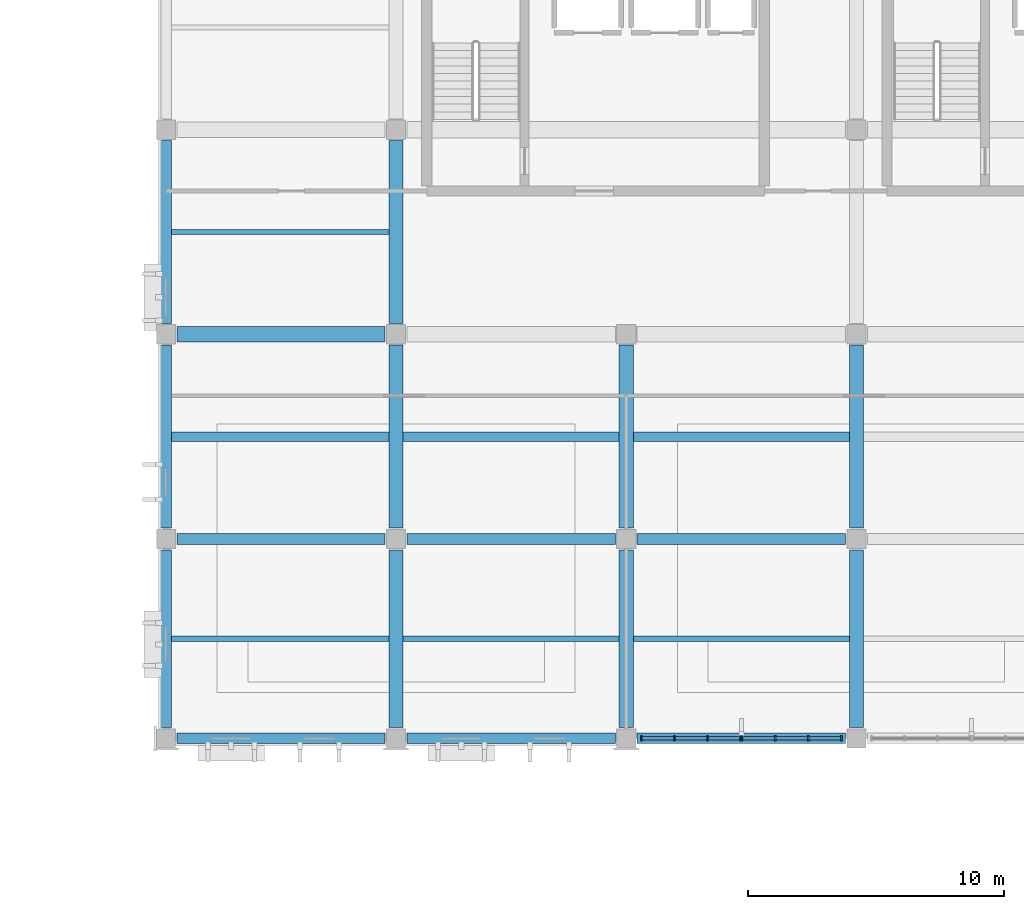
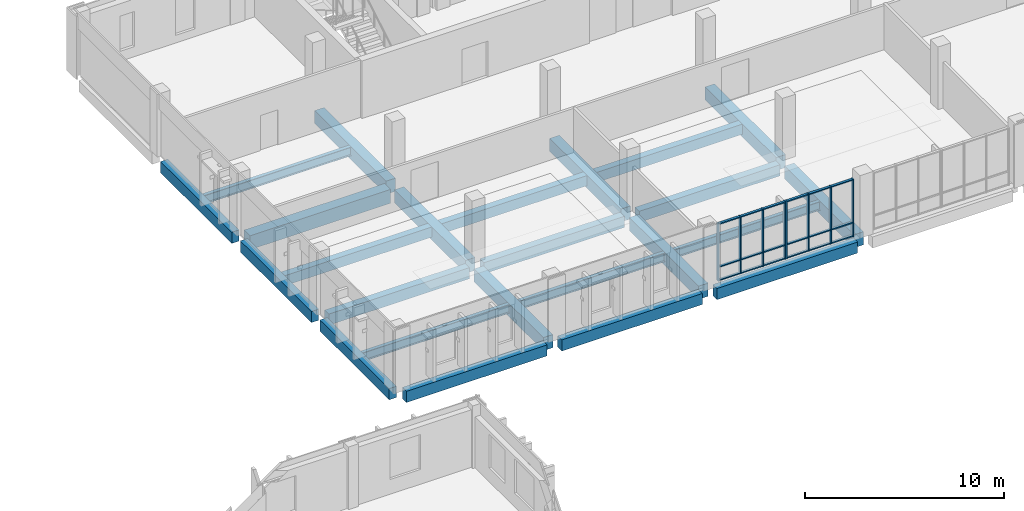
# One storey, part 19 of 64: 26 members, 24 beams, 2 elements without a shape of their own.
"""IFC4 building model written with IfcOpenShell, lengths in metres."""

from ifc_helpers import new_model, si_unit, direction, frame, origin, origin_2d, place, context, subcontext, project, spatial, rectangle, i_section, extrude, material, material_profile, profile_set, type_object, element, aggregate, save


model = new_model("IFC4")

# Units and contexts
model_context = context("Model", 3, precision=1e-05, world=origin(), true_north=direction((0.0, 1.0)))
body_context = subcontext(model_context, "Body", "Model", "MODEL_VIEW")
ifc_project = project(units=[si_unit("LENGTHUNIT", "METRE"), si_unit("AREAUNIT", "SQUARE_METRE"), si_unit("VOLUMEUNIT", "CUBIC_METRE"), si_unit("PLANEANGLEUNIT", "RADIAN"), si_unit("MASSUNIT", "GRAM", prefix="KILO")], contexts=[model_context])

# Site, building, storey
site_placement = place(None, origin())
site = spatial("IfcSite", under=ifc_project, at=site_placement, CompositionType="ELEMENT")
building_placement = place(site_placement, origin())
building = spatial("IfcBuilding", under=site, at=building_placement, Name="Vervanel Yard Central Library", CompositionType="ELEMENT")
storey_placement = place(building_placement, frame((0.0, 0.0, 8.93994140625)))
storey = spatial("IfcBuildingStorey", under=building, at=storey_placement, Name="L02", CompositionType="ELEMENT", Elevation=8.93994140625)

# Beams
ifc_material_1 = material(Name="Concrete C40/50", Category="concrete")
ifc_material_profile_1 = material_profile(ifc_material_1, rectangle(XDim=0.419921875, YDim=0.679931640625, at=origin_2d()), Name="RC 420x680", Category="concrete")
ifc_profile_set_1 = profile_set([ifc_material_profile_1], Name="Concrete C40/50")
beam_type_1 = type_object("IfcBeamType", Name="Concrete Perimeter Spandrel 420x680", PredefinedType="SPANDREL", material=ifc_profile_set_1)
for number, where, z_axis, x_axis, name in (
    (1, (36.425048828125, 82.199951171875, -0.64501953125), (1.0, 0.0, 0.0), (0.0, 1.0, 0.0), "L02 Girder SP-04 Y=82.2 X=36.0-45.0"),
    (2, (45.425048828125, 82.199951171875, -0.64501953125), (1.0, 0.0, 0.0), (0.0, 1.0, 0.0), "L02 Girder SP-04 Y=82.2 X=45.0-54.0"),
    (3, (54.425048828125, 82.199951171875, -0.64501953125), (1.0, 0.0, 0.0), (0.0, 1.0, 0.0), "L02 Girder SP-04 Y=82.2 X=54.0-63.0"),
    (4, (36.425048828125, 90.0, -0.64501953125), (1.0, 0.0, 0.0), (0.0, 1.0, 0.0), "L02 Girder SP-04 Y=90.0 X=36.0-45.0"),
    (5, (45.425048828125, 90.0, -0.64501953125), (1.0, 0.0, 0.0), (0.0, 1.0, 0.0), "L02 Girder SP-04 Y=90.0 X=45.0-54.0"),
    (6, (54.425048828125, 90.0, -0.64501953125), (1.0, 0.0, 0.0), (0.0, 1.0, 0.0), "L02 Girder SP-04 Y=90.0 X=54.0-63.0"),
):
    element("IfcBeam", number, at=place(storey_placement, frame(where, z_axis=z_axis, x_axis=x_axis)), inside=storey, type_object=beam_type_1, Name=name, PredefinedType="SPANDREL", context=body_context, shape_type="SweptSolid", body=[
        extrude(rectangle(XDim=0.419921875, YDim=0.679931640625, at=origin_2d()), origin(), (0.0, 0.0, 1.0), 8.14990234375),
    ])
beam_1_placement = place(storey_placement, frame((36.0, 82.625, -0.64501953125), z_axis=(0.0, 1.0, 0.0), x_axis=(-1.0, 0.0, 0.0)))
element("IfcBeam", 7, at=beam_1_placement, inside=storey, type_object=beam_type_1, Name="L02 Girder SP-04 X=36.0 Y=82.2-90.0", PredefinedType="SPANDREL", context=body_context, shape_type="SweptSolid", body=[
    extrude(rectangle(XDim=0.419921875, YDim=0.679931640625, at=origin_2d()), origin(), (0.0, 0.0, 1.0), 6.949951171875),
])
for number, where, z_axis, x_axis, name in (
    (8, (36.0, 90.425048828125, -0.64501953125), (0.0, 1.0, 0.0), (-1.0, 0.0, 0.0), "L02 Girder SP-04 X=36.0 Y=90.0-98.0"),
    (9, (36.0, 98.425048828125, -0.64501953125), (0.0, 1.0, 0.0), (-1.0, 0.0, 0.0), "L02 Girder SP-04 X=36.0 Y=98.0-106.0"),
):
    element("IfcBeam", number, at=place(storey_placement, frame(where, z_axis=z_axis, x_axis=x_axis)), inside=storey, type_object=beam_type_1, Name=name, PredefinedType="SPANDREL", context=body_context, shape_type="SweptSolid", body=[
        extrude(rectangle(XDim=0.419921875, YDim=0.679931640625, at=origin_2d()), origin(), (0.0, 0.0, 1.0), 7.14990234375),
    ])
ifc_material_profile_2 = material_profile(ifc_material_1, rectangle(XDim=0.550048828125, YDim=0.800048828125, at=origin_2d()), Name="RC 550x800", Category="concrete")
ifc_profile_set_2 = profile_set([ifc_material_profile_2], Name="Concrete C40/50")
beam_type_2 = type_object("IfcBeamType", Name="Concrete Primary Girder 550x800", PredefinedType="BEAM", material=ifc_profile_set_2)
beam_2_placement = place(storey_placement, frame((45.0, 82.625, -0.704833984375), z_axis=(0.0, 1.0, 0.0), x_axis=(-1.0, 0.0, 0.0)))
element("IfcBeam", 10, at=beam_2_placement, inside=storey, type_object=beam_type_2, Name="L02 Girder CB-02 X=45.0 Y=82.2-90.0", PredefinedType="BEAM", context=body_context, shape_type="SweptSolid", body=[
    extrude(rectangle(XDim=0.550048828125, YDim=0.800048828125, at=origin_2d()), origin(), (0.0, 0.0, 1.0), 6.949951171875),
])
for number, where, z_axis, x_axis, name in (
    (11, (45.0, 90.425048828125, -0.704833984375), (0.0, 1.0, 0.0), (-1.0, 0.0, 0.0), "L02 Girder CB-02 X=45.0 Y=90.0-98.0"),
    (12, (45.0, 98.425048828125, -0.704833984375), (0.0, 1.0, 0.0), (-1.0, 0.0, 0.0), "L02 Girder CB-02 X=45.0 Y=98.0-106.0"),
):
    element("IfcBeam", number, at=place(storey_placement, frame(where, z_axis=z_axis, x_axis=x_axis)), inside=storey, type_object=beam_type_2, Name=name, PredefinedType="BEAM", context=body_context, shape_type="SweptSolid", body=[
        extrude(rectangle(XDim=0.550048828125, YDim=0.800048828125, at=origin_2d()), origin(), (0.0, 0.0, 1.0), 7.14990234375),
    ])
beam_3_placement = place(storey_placement, frame((54.0, 82.625, -0.704833984375), z_axis=(0.0, 1.0, 0.0), x_axis=(-1.0, 0.0, 0.0)))
element("IfcBeam", 13, at=beam_3_placement, inside=storey, type_object=beam_type_2, Name="L02 Girder CB-02 X=54.0 Y=82.2-90.0", PredefinedType="BEAM", context=body_context, shape_type="SweptSolid", body=[
    extrude(rectangle(XDim=0.550048828125, YDim=0.800048828125, at=origin_2d()), origin(), (0.0, 0.0, 1.0), 6.949951171875),
])
beam_4_placement = place(storey_placement, frame((54.0, 90.425048828125, -0.704833984375), z_axis=(0.0, 1.0, 0.0), x_axis=(-1.0, 0.0, 0.0)))
element("IfcBeam", 14, at=beam_4_placement, inside=storey, type_object=beam_type_2, Name="L02 Girder CB-02 X=54.0 Y=90.0-98.0", PredefinedType="BEAM", context=body_context, shape_type="SweptSolid", body=[
    extrude(rectangle(XDim=0.550048828125, YDim=0.800048828125, at=origin_2d()), origin(), (0.0, 0.0, 1.0), 7.14990234375),
])
beam_5_placement = place(storey_placement, frame((63.0, 82.625, -0.704833984375), z_axis=(0.0, 1.0, 0.0), x_axis=(-1.0, 0.0, 0.0)))
element("IfcBeam", 15, at=beam_5_placement, inside=storey, type_object=beam_type_2, Name="L02 Girder CB-02 X=63.0 Y=82.2-90.0", PredefinedType="BEAM", context=body_context, shape_type="SweptSolid", body=[
    extrude(rectangle(XDim=0.550048828125, YDim=0.800048828125, at=origin_2d()), origin(), (0.0, 0.0, 1.0), 6.949951171875),
])
beam_6_placement = place(storey_placement, frame((63.0, 90.425048828125, -0.704833984375), z_axis=(0.0, 1.0, 0.0), x_axis=(-1.0, 0.0, 0.0)))
element("IfcBeam", 16, at=beam_6_placement, inside=storey, type_object=beam_type_2, Name="L02 Girder CB-02 X=63.0 Y=90.0-98.0", PredefinedType="BEAM", context=body_context, shape_type="SweptSolid", body=[
    extrude(rectangle(XDim=0.550048828125, YDim=0.800048828125, at=origin_2d()), origin(), (0.0, 0.0, 1.0), 7.14990234375),
])
ifc_material_profile_3 = material_profile(ifc_material_1, rectangle(XDim=0.3798828125, YDim=0.6201171875, at=origin_2d()), Name="RC 380x620", Category="concrete")
ifc_profile_set_3 = profile_set([ifc_material_profile_3], Name="Concrete C40/50")
beam_type_3 = type_object("IfcBeamType", Name="Concrete Secondary Joist 380x620", PredefinedType="JOIST", material=ifc_profile_set_3)
beam_7_placement = place(storey_placement, frame((36.2099609375, 94.0, -0.614990234375), z_axis=(1.0, 0.0, 0.0), x_axis=(0.0, 1.0, 0.0)))
element("IfcBeam", 17, at=beam_7_placement, inside=storey, type_object=beam_type_3, Name="L02 Floor Joist CJ-05 Y=94.00 X=36.0-45.0", PredefinedType="JOIST", context=body_context, shape_type="SweptSolid", body=[
    extrude(rectangle(XDim=0.3798828125, YDim=0.6201171875, at=origin_2d()), origin(), (0.0, 0.0, 1.0), 8.51513671875),
])
for number, where, z_axis, x_axis, name in (
    (18, (45.27490234375, 94.0, -0.614990234375), (1.0, 0.0, 0.0), (0.0, 1.0, 0.0), "L02 Floor Joist CJ-05 Y=94.00 X=45.0-54.0"),
    (19, (54.27490234375, 94.0, -0.614990234375), (1.0, 0.0, 0.0), (0.0, 1.0, 0.0), "L02 Floor Joist CJ-05 Y=94.00 X=54.0-63.0"),
):
    element("IfcBeam", number, at=place(storey_placement, frame(where, z_axis=z_axis, x_axis=x_axis)), inside=storey, type_object=beam_type_3, Name=name, PredefinedType="JOIST", context=body_context, shape_type="SweptSolid", body=[
        extrude(rectangle(XDim=0.3798828125, YDim=0.6201171875, at=origin_2d()), origin(), (0.0, 0.0, 1.0), 8.4501953125),
    ])
ifc_material_2 = material(Name="Concrete C45/55", Category="concrete")
ifc_material_profile_4 = material_profile(ifc_material_2, rectangle(XDim=0.60009765625, YDim=0.85009765625, at=origin_2d()), Name="RC 600x850", Category="concrete")
ifc_profile_set_4 = profile_set([ifc_material_profile_4], Name="Concrete C45/55")
beam_type_4 = type_object("IfcBeamType", Name="Concrete Stack Girder 600x850", PredefinedType="BEAM", material=ifc_profile_set_4)
beam_8_placement = place(storey_placement, frame((36.425048828125, 98.0, -0.72998046875), z_axis=(1.0, 0.0, 0.0), x_axis=(0.0, 1.0, 0.0)))
element("IfcBeam", 20, at=beam_8_placement, inside=storey, type_object=beam_type_4, Name="L02 Girder CB-03 Y=98.0 X=36.0-45.0", PredefinedType="BEAM", context=body_context, shape_type="SweptSolid", body=[
    extrude(rectangle(XDim=0.60009765625, YDim=0.85009765625, at=origin_2d()), origin(), (0.0, 0.0, 1.0), 8.14990234375),
])

# Curtain wall, members
ifc_material_3 = material(Name="Thermally broken anodized aluminium 6063-T6", Category="aluminium")
curtain_wall_type = type_object("IfcCurtainWallType", Name="Atrium Courtyard Curtain Wall", PredefinedType="NOTDEFINED", material=ifc_material_3)
curtain_wall_1_placement = place(storey_placement, origin())
curtain_wall_1 = element("IfcCurtainWall", 21, at=curtain_wall_1_placement, inside=storey, type_object=curtain_wall_type, Name="L02 Atrium Courtyard Curtain Wall CWR-L02-007", PredefinedType="NOTDEFINED")
ifc_material_profile_5 = material_profile(ifc_material_3, rectangle(XDim=0.06494140625, YDim=0.18994140625, at=origin_2d()), Name="ALU 65x190", Category="aluminium")
ifc_profile_set_5 = profile_set([ifc_material_profile_5], Name="Thermally broken anodized aluminium 6063-T6")
member_type_1 = type_object("IfcMemberType", Name="Curtain Wall Primary Mullion 65x190", PredefinedType="MULLION", material=ifc_profile_set_5)
member_1_placement = place(storey_placement, frame((54.592529296875, 82.199951171875, 0.0), z_axis=(0.0, 0.0, 1.0), x_axis=(1.0, 0.0, 0.0)))
member_1 = element("IfcMember", 22, at=member_1_placement, type_object=member_type_1, Name="CWR-L02-007 Mullion 1", PredefinedType="MULLION", context=body_context, shape_type="SweptSolid", body=[
    extrude(rectangle(XDim=0.06494140625, YDim=0.18994140625, at=origin_2d()), origin(), (0.0, 0.0, 1.0), 3.510009765625),
])
member_2_placement = place(storey_placement, frame((55.88427734375, 82.199951171875, 0.0), z_axis=(0.0, 0.0, 1.0), x_axis=(1.0, 0.0, 0.0)))
member_2 = element("IfcMember", 23, at=member_2_placement, type_object=member_type_1, Name="CWR-L02-007 Mullion 2", PredefinedType="MULLION", context=body_context, shape_type="SweptSolid", body=[
    extrude(rectangle(XDim=0.06494140625, YDim=0.18994140625, at=origin_2d()), origin(), (0.0, 0.0, 1.0), 3.510009765625),
])
member_3_placement = place(storey_placement, frame((57.17578125, 82.199951171875, 0.0), z_axis=(0.0, 0.0, 1.0), x_axis=(1.0, 0.0, 0.0)))
member_3 = element("IfcMember", 24, at=member_3_placement, type_object=member_type_1, Name="CWR-L02-007 Mullion 3", PredefinedType="MULLION", context=body_context, shape_type="SweptSolid", body=[
    extrude(rectangle(XDim=0.06494140625, YDim=0.18994140625, at=origin_2d()), origin(), (0.0, 0.0, 1.0), 3.510009765625),
])
member_4_placement = place(storey_placement, frame((58.467529296875, 82.199951171875, 0.0), z_axis=(0.0, 0.0, 1.0), x_axis=(1.0, 0.0, 0.0)))
member_4 = element("IfcMember", 25, at=member_4_placement, type_object=member_type_1, Name="CWR-L02-007 Mullion 4", PredefinedType="MULLION", context=body_context, shape_type="SweptSolid", body=[
    extrude(rectangle(XDim=0.06494140625, YDim=0.18994140625, at=origin_2d()), origin(), (0.0, 0.0, 1.0), 3.510009765625),
])

curtain_wall_2_placement = place(storey_placement, origin())
curtain_wall_2 = element("IfcCurtainWall", 26, at=curtain_wall_2_placement, inside=storey, type_object=curtain_wall_type, Name="L02 Atrium Courtyard Curtain Wall CWR-L02-008", PredefinedType="NOTDEFINED")
member_5_placement = place(storey_placement, frame((58.532470703125, 82.199951171875, 0.0), z_axis=(0.0, 0.0, 1.0), x_axis=(1.0, 0.0, 0.0)))
member_5 = element("IfcMember", 27, at=member_5_placement, type_object=member_type_1, Name="CWR-L02-008 Mullion 1", PredefinedType="MULLION", context=body_context, shape_type="SweptSolid", body=[
    extrude(rectangle(XDim=0.06494140625, YDim=0.18994140625, at=origin_2d()), origin(), (0.0, 0.0, 1.0), 3.510009765625),
])
member_6_placement = place(storey_placement, frame((59.82421875, 82.199951171875, 0.0), z_axis=(0.0, 0.0, 1.0), x_axis=(1.0, 0.0, 0.0)))
member_6 = element("IfcMember", 28, at=member_6_placement, type_object=member_type_1, Name="CWR-L02-008 Mullion 2", PredefinedType="MULLION", context=body_context, shape_type="SweptSolid", body=[
    extrude(rectangle(XDim=0.06494140625, YDim=0.18994140625, at=origin_2d()), origin(), (0.0, 0.0, 1.0), 3.510009765625),
])
member_7_placement = place(storey_placement, frame((61.11572265625, 82.199951171875, 0.0), z_axis=(0.0, 0.0, 1.0), x_axis=(1.0, 0.0, 0.0)))
member_7 = element("IfcMember", 29, at=member_7_placement, type_object=member_type_1, Name="CWR-L02-008 Mullion 3", PredefinedType="MULLION", context=body_context, shape_type="SweptSolid", body=[
    extrude(rectangle(XDim=0.06494140625, YDim=0.18994140625, at=origin_2d()), origin(), (0.0, 0.0, 1.0), 3.510009765625),
])
member_8_placement = place(storey_placement, frame((62.407470703125, 82.199951171875, 0.0), z_axis=(0.0, 0.0, 1.0), x_axis=(1.0, 0.0, 0.0)))
member_8 = element("IfcMember", 30, at=member_8_placement, type_object=member_type_1, Name="CWR-L02-008 Mullion 4", PredefinedType="MULLION", context=body_context, shape_type="SweptSolid", body=[
    extrude(rectangle(XDim=0.06494140625, YDim=0.18994140625, at=origin_2d()), origin(), (0.0, 0.0, 1.0), 3.510009765625),
])

# Member
ifc_material_profile_6 = material_profile(ifc_material_3, rectangle(XDim=0.06494140625, YDim=0.139892578125, at=origin_2d()), Name="ALU 65x140", Category="aluminium")
ifc_profile_set_6 = profile_set([ifc_material_profile_6], Name="Thermally broken anodized aluminium 6063-T6")
member_type_2 = type_object("IfcMemberType", Name="Curtain Wall Transom 65x140", PredefinedType="NOTDEFINED", material=ifc_profile_set_6)
member_9_placement = place(storey_placement, frame((54.625, 82.199951171875, 0.032470703125), z_axis=(1.0, 0.0, 0.0), x_axis=(0.0, 0.0, 1.0)))
member_9 = element("IfcMember", 31, at=member_9_placement, type_object=member_type_2, Name="CWR-L02-007 Transom B1-T1", ObjectType="TRANSOM", PredefinedType="USERDEFINED", context=body_context, shape_type="SweptSolid", body=[
    extrude(rectangle(XDim=0.06494140625, YDim=0.139892578125, at=origin_2d()), origin(), (0.0, 0.0, 1.0), 1.2265625),
])

member_10_placement = place(storey_placement, frame((54.625, 82.199951171875, 0.85009765625), z_axis=(1.0, 0.0, 0.0), x_axis=(0.0, 0.0, 1.0)))
member_10 = element("IfcMember", 32, at=member_10_placement, type_object=member_type_2, Name="CWR-L02-007 Transom B1-T2", ObjectType="TRANSOM", PredefinedType="USERDEFINED", context=body_context, shape_type="SweptSolid", body=[
    extrude(rectangle(XDim=0.06494140625, YDim=0.139892578125, at=origin_2d()), origin(), (0.0, 0.0, 1.0), 1.2265625),
])

member_11_placement = place(storey_placement, frame((54.625, 82.199951171875, 3.4775390625), z_axis=(1.0, 0.0, 0.0), x_axis=(0.0, 0.0, 1.0)))
member_11 = element("IfcMember", 33, at=member_11_placement, type_object=member_type_2, Name="CWR-L02-007 Transom B1-T3", ObjectType="TRANSOM", PredefinedType="USERDEFINED", context=body_context, shape_type="SweptSolid", body=[
    extrude(rectangle(XDim=0.06494140625, YDim=0.139892578125, at=origin_2d()), origin(), (0.0, 0.0, 1.0), 1.2265625),
])

member_12_placement = place(storey_placement, frame((55.916748046875, 82.199951171875, 0.032470703125), z_axis=(1.0, 0.0, 0.0), x_axis=(0.0, 0.0, 1.0)))
member_12 = element("IfcMember", 34, at=member_12_placement, type_object=member_type_2, Name="CWR-L02-007 Transom B2-T1", ObjectType="TRANSOM", PredefinedType="USERDEFINED", context=body_context, shape_type="SweptSolid", body=[
    extrude(rectangle(XDim=0.06494140625, YDim=0.139892578125, at=origin_2d()), origin(), (0.0, 0.0, 1.0), 1.2265625),
])

member_13_placement = place(storey_placement, frame((55.916748046875, 82.199951171875, 0.85009765625), z_axis=(1.0, 0.0, 0.0), x_axis=(0.0, 0.0, 1.0)))
member_13 = element("IfcMember", 35, at=member_13_placement, type_object=member_type_2, Name="CWR-L02-007 Transom B2-T2", ObjectType="TRANSOM", PredefinedType="USERDEFINED", context=body_context, shape_type="SweptSolid", body=[
    extrude(rectangle(XDim=0.06494140625, YDim=0.139892578125, at=origin_2d()), origin(), (0.0, 0.0, 1.0), 1.2265625),
])

member_14_placement = place(storey_placement, frame((55.916748046875, 82.199951171875, 3.4775390625), z_axis=(1.0, 0.0, 0.0), x_axis=(0.0, 0.0, 1.0)))
member_14 = element("IfcMember", 36, at=member_14_placement, type_object=member_type_2, Name="CWR-L02-007 Transom B2-T3", ObjectType="TRANSOM", PredefinedType="USERDEFINED", context=body_context, shape_type="SweptSolid", body=[
    extrude(rectangle(XDim=0.06494140625, YDim=0.139892578125, at=origin_2d()), origin(), (0.0, 0.0, 1.0), 1.2265625),
])

member_15_placement = place(storey_placement, frame((57.208251953125, 82.199951171875, 0.032470703125), z_axis=(1.0, 0.0, 0.0), x_axis=(0.0, 0.0, 1.0)))
member_15 = element("IfcMember", 37, at=member_15_placement, type_object=member_type_2, Name="CWR-L02-007 Transom B3-T1", ObjectType="TRANSOM", PredefinedType="USERDEFINED", context=body_context, shape_type="SweptSolid", body=[
    extrude(rectangle(XDim=0.06494140625, YDim=0.139892578125, at=origin_2d()), origin(), (0.0, 0.0, 1.0), 1.226806640625),
])

member_16_placement = place(storey_placement, frame((57.208251953125, 82.199951171875, 0.85009765625), z_axis=(1.0, 0.0, 0.0), x_axis=(0.0, 0.0, 1.0)))
member_16 = element("IfcMember", 38, at=member_16_placement, type_object=member_type_2, Name="CWR-L02-007 Transom B3-T2", ObjectType="TRANSOM", PredefinedType="USERDEFINED", context=body_context, shape_type="SweptSolid", body=[
    extrude(rectangle(XDim=0.06494140625, YDim=0.139892578125, at=origin_2d()), origin(), (0.0, 0.0, 1.0), 1.226806640625),
])

member_17_placement = place(storey_placement, frame((57.208251953125, 82.199951171875, 3.4775390625), z_axis=(1.0, 0.0, 0.0), x_axis=(0.0, 0.0, 1.0)))
member_17 = element("IfcMember", 39, at=member_17_placement, type_object=member_type_2, Name="CWR-L02-007 Transom B3-T3", ObjectType="TRANSOM", PredefinedType="USERDEFINED", context=body_context, shape_type="SweptSolid", body=[
    extrude(rectangle(XDim=0.06494140625, YDim=0.139892578125, at=origin_2d()), origin(), (0.0, 0.0, 1.0), 1.226806640625),
])

aggregate(curtain_wall_1, [member_1, member_2, member_3, member_4, member_9, member_10, member_11, member_12, member_13, member_14, member_15, member_16, member_17])

member_18_placement = place(storey_placement, frame((58.56494140625, 82.199951171875, 0.032470703125), z_axis=(1.0, 0.0, 0.0), x_axis=(0.0, 0.0, 1.0)))
member_18 = element("IfcMember", 40, at=member_18_placement, type_object=member_type_2, Name="CWR-L02-008 Transom B1-T1", ObjectType="TRANSOM", PredefinedType="USERDEFINED", context=body_context, shape_type="SweptSolid", body=[
    extrude(rectangle(XDim=0.06494140625, YDim=0.139892578125, at=origin_2d()), origin(), (0.0, 0.0, 1.0), 1.226806640625),
])

member_19_placement = place(storey_placement, frame((58.56494140625, 82.199951171875, 0.85009765625), z_axis=(1.0, 0.0, 0.0), x_axis=(0.0, 0.0, 1.0)))
member_19 = element("IfcMember", 41, at=member_19_placement, type_object=member_type_2, Name="CWR-L02-008 Transom B1-T2", ObjectType="TRANSOM", PredefinedType="USERDEFINED", context=body_context, shape_type="SweptSolid", body=[
    extrude(rectangle(XDim=0.06494140625, YDim=0.139892578125, at=origin_2d()), origin(), (0.0, 0.0, 1.0), 1.226806640625),
])

member_20_placement = place(storey_placement, frame((58.56494140625, 82.199951171875, 3.4775390625), z_axis=(1.0, 0.0, 0.0), x_axis=(0.0, 0.0, 1.0)))
member_20 = element("IfcMember", 42, at=member_20_placement, type_object=member_type_2, Name="CWR-L02-008 Transom B1-T3", ObjectType="TRANSOM", PredefinedType="USERDEFINED", context=body_context, shape_type="SweptSolid", body=[
    extrude(rectangle(XDim=0.06494140625, YDim=0.139892578125, at=origin_2d()), origin(), (0.0, 0.0, 1.0), 1.226806640625),
])

member_21_placement = place(storey_placement, frame((59.856689453125, 82.199951171875, 0.032470703125), z_axis=(1.0, 0.0, 0.0), x_axis=(0.0, 0.0, 1.0)))
member_21 = element("IfcMember", 43, at=member_21_placement, type_object=member_type_2, Name="CWR-L02-008 Transom B2-T1", ObjectType="TRANSOM", PredefinedType="USERDEFINED", context=body_context, shape_type="SweptSolid", body=[
    extrude(rectangle(XDim=0.06494140625, YDim=0.139892578125, at=origin_2d()), origin(), (0.0, 0.0, 1.0), 1.2265625),
])

member_22_placement = place(storey_placement, frame((59.856689453125, 82.199951171875, 0.85009765625), z_axis=(1.0, 0.0, 0.0), x_axis=(0.0, 0.0, 1.0)))
member_22 = element("IfcMember", 44, at=member_22_placement, type_object=member_type_2, Name="CWR-L02-008 Transom B2-T2", ObjectType="TRANSOM", PredefinedType="USERDEFINED", context=body_context, shape_type="SweptSolid", body=[
    extrude(rectangle(XDim=0.06494140625, YDim=0.139892578125, at=origin_2d()), origin(), (0.0, 0.0, 1.0), 1.2265625),
])

member_23_placement = place(storey_placement, frame((59.856689453125, 82.199951171875, 3.4775390625), z_axis=(1.0, 0.0, 0.0), x_axis=(0.0, 0.0, 1.0)))
member_23 = element("IfcMember", 45, at=member_23_placement, type_object=member_type_2, Name="CWR-L02-008 Transom B2-T3", ObjectType="TRANSOM", PredefinedType="USERDEFINED", context=body_context, shape_type="SweptSolid", body=[
    extrude(rectangle(XDim=0.06494140625, YDim=0.139892578125, at=origin_2d()), origin(), (0.0, 0.0, 1.0), 1.2265625),
])

member_24_placement = place(storey_placement, frame((61.1484375, 82.199951171875, 0.032470703125), z_axis=(1.0, 0.0, 0.0), x_axis=(0.0, 0.0, 1.0)))
member_24 = element("IfcMember", 46, at=member_24_placement, type_object=member_type_2, Name="CWR-L02-008 Transom B3-T1", ObjectType="TRANSOM", PredefinedType="USERDEFINED", context=body_context, shape_type="SweptSolid", body=[
    extrude(rectangle(XDim=0.06494140625, YDim=0.139892578125, at=origin_2d()), origin(), (0.0, 0.0, 1.0), 1.2265625),
])

member_25_placement = place(storey_placement, frame((61.1484375, 82.199951171875, 0.85009765625), z_axis=(1.0, 0.0, 0.0), x_axis=(0.0, 0.0, 1.0)))
member_25 = element("IfcMember", 47, at=member_25_placement, type_object=member_type_2, Name="CWR-L02-008 Transom B3-T2", ObjectType="TRANSOM", PredefinedType="USERDEFINED", context=body_context, shape_type="SweptSolid", body=[
    extrude(rectangle(XDim=0.06494140625, YDim=0.139892578125, at=origin_2d()), origin(), (0.0, 0.0, 1.0), 1.2265625),
])

member_26_placement = place(storey_placement, frame((61.1484375, 82.199951171875, 3.4775390625), z_axis=(1.0, 0.0, 0.0), x_axis=(0.0, 0.0, 1.0)))
member_26 = element("IfcMember", 48, at=member_26_placement, type_object=member_type_2, Name="CWR-L02-008 Transom B3-T3", ObjectType="TRANSOM", PredefinedType="USERDEFINED", context=body_context, shape_type="SweptSolid", body=[
    extrude(rectangle(XDim=0.06494140625, YDim=0.139892578125, at=origin_2d()), origin(), (0.0, 0.0, 1.0), 1.2265625),
])

aggregate(curtain_wall_2, [member_5, member_6, member_7, member_8, member_18, member_19, member_20, member_21, member_22, member_23, member_24, member_25, member_26])

# Beams
ifc_material_4 = material(Name="Steel ASTM A992 Grade 50", Category="steel")
ifc_material_profile_7 = material_profile(ifc_material_4, i_section(OverallWidth=0.2099609375, OverallDepth=0.535888671875, WebThickness=0.010986328125, FlangeThickness=0.017333984375, at=origin_2d()), Name="W21X68", Category="steel")
ifc_profile_set_7 = profile_set([ifc_material_profile_7], Name="Steel ASTM A992 Grade 50")
beam_type_5 = type_object("IfcBeamType", Name="Steel Stack Floor Joist W21X68", PredefinedType="JOIST", material=ifc_profile_set_7)
for number, where, z_axis, x_axis, name in (
    (49, (36.2099609375, 86.10009765625, -0.572998046875), (1.0, 0.0, 0.0), (0.0, 1.0, 0.0), "L02 Floor Joist SJ-04 Y=86.10 X=36.0-45.0"),
    (50, (36.2099609375, 102.0, -0.572998046875), (1.0, 0.0, 0.0), (0.0, 1.0, 0.0), "L02 Floor Joist SJ-04 Y=102.00 X=36.0-45.0"),
):
    element("IfcBeam", number, at=place(storey_placement, frame(where, z_axis=z_axis, x_axis=x_axis)), inside=storey, type_object=beam_type_5, Name=name, PredefinedType="JOIST", context=body_context, shape_type="SweptSolid", body=[
        extrude(i_section(OverallWidth=0.2099609375, OverallDepth=0.535888671875, WebThickness=0.010986328125, FlangeThickness=0.017333984375, at=origin_2d()), origin(), (0.0, 0.0, 1.0), 8.51513671875),
    ])
for number, where, z_axis, x_axis, name in (
    (51, (45.27490234375, 86.10009765625, -0.572998046875), (1.0, 0.0, 0.0), (0.0, 1.0, 0.0), "L02 Floor Joist SJ-04 Y=86.10 X=45.0-54.0"),
    (52, (54.27490234375, 86.10009765625, -0.572998046875), (1.0, 0.0, 0.0), (0.0, 1.0, 0.0), "L02 Floor Joist SJ-04 Y=86.10 X=54.0-63.0"),
):
    element("IfcBeam", number, at=place(storey_placement, frame(where, z_axis=z_axis, x_axis=x_axis)), inside=storey, type_object=beam_type_5, Name=name, PredefinedType="JOIST", context=body_context, shape_type="SweptSolid", body=[
        extrude(i_section(OverallWidth=0.2099609375, OverallDepth=0.535888671875, WebThickness=0.010986328125, FlangeThickness=0.017333984375, at=origin_2d()), origin(), (0.0, 0.0, 1.0), 8.4501953125),
    ])

save(model, "model.ifc")
